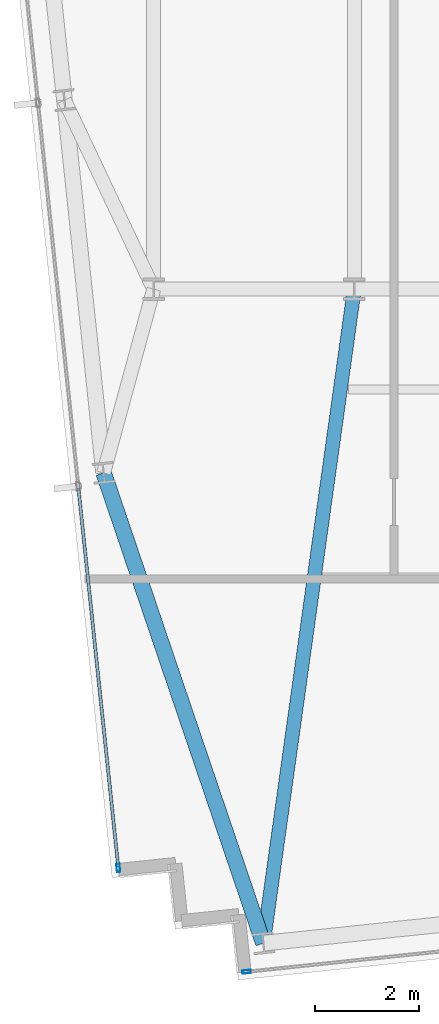
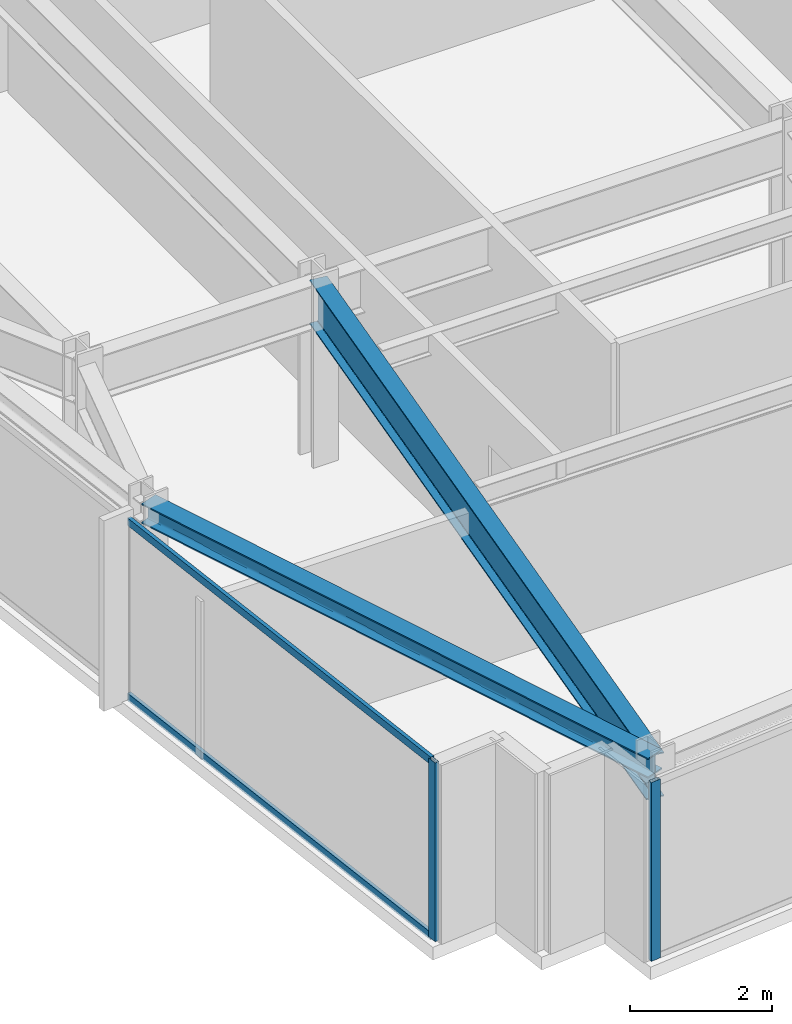
# One storey, part 2 of 32: 4 members, 2 beams, 2 elements without a shape of their own.
"""IFC4 building model written with IfcOpenShell, lengths in metres."""

from ifc_helpers import new_model, si_unit, direction, frame, origin, origin_2d, place, context, subcontext, project, spatial, hollow_rectangle, i_section, extrude, material, material_profile, profile_set, type_object, element, aggregate, save


model = new_model("IFC4")

# Units and contexts
model_context = context("Model", 3, precision=1e-05, world=origin(), true_north=direction((0.0, 1.0)))
body_context = subcontext(model_context, "Body", "Model", "MODEL_VIEW")
ifc_project = project(units=[si_unit("LENGTHUNIT", "METRE"), si_unit("AREAUNIT", "SQUARE_METRE"), si_unit("VOLUMEUNIT", "CUBIC_METRE"), si_unit("PLANEANGLEUNIT", "RADIAN"), si_unit("MASSUNIT", "GRAM", prefix="KILO")], contexts=[model_context])

# Site, building, storey
site_placement = place(None, origin())
site = spatial("IfcSite", under=ifc_project, at=site_placement, CompositionType="ELEMENT")
building_placement = place(site_placement, origin())
building = spatial("IfcBuilding", under=site, at=building_placement, Name="Yelkora Congress Tower", CompositionType="ELEMENT")
storey_placement = place(building_placement, frame((0.0, 0.0, 217.699951171875)))
storey = spatial("IfcBuildingStorey", under=building, at=storey_placement, Name="L60", CompositionType="ELEMENT", Elevation=217.699951171875)

# Beams
ifc_material_1 = material(Name="Steel S355J2", Category="steel")
ifc_material_profile_1 = material_profile(ifc_material_1, i_section(OverallWidth=0.26708984375, OverallDepth=0.761962890625, WebThickness=0.014404296875, FlangeThickness=0.021484375, FilletRadius=0.01708984375, at=origin_2d()), Name="IPE 750x173")
ifc_profile_set_1 = profile_set([ifc_material_profile_1], Name="Steel S355J2")
beam_type_1 = type_object("IfcBeamType", Name="BM-GIRD-IPE750", PredefinedType="BEAM", material=ifc_profile_set_1)
beam_1_placement = place(storey_placement, frame((21.299072265625, 12.678466796875, 2.698974609375), z_axis=(0.137713626184, 0.990472088028, 0.0), x_axis=(-0.990472088028, 0.137713626184, 0.0)))
element("IfcBeam", 1, at=beam_1_placement, inside=storey, type_object=beam_type_1, Name="L60 Primary Frame Girder S01", PredefinedType="BEAM", context=body_context, shape_type="SweptSolid", body=[
    extrude(i_section(OverallWidth=0.26708984375, OverallDepth=0.761962890625, WebThickness=0.014404296875, FlangeThickness=0.021484375, FilletRadius=0.01708984375, at=origin_2d()), origin(), (0.0, 0.0, 1.0), 12.641845703125),
])
ifc_material_profile_2 = material_profile(ifc_material_1, i_section(OverallWidth=0.300048828125, OverallDepth=0.340087890625, WebThickness=0.011962890625, FlangeThickness=0.021484375, FilletRadius=0.027099609375, at=origin_2d()), Name="HEB 340")
ifc_profile_set_2 = profile_set([ifc_material_profile_2], Name="Steel S355J2")
beam_type_2 = type_object("IfcBeamType", Name="BM-SPAN-HEB340", PredefinedType="SPANDREL", material=ifc_profile_set_2)
beam_2_placement = place(storey_placement, frame((18.2412109375, 21.68310546875, 2.91015625), z_axis=(0.321552459514, -0.94689176561, 0.0), x_axis=(0.94689176561, 0.321552459514, 0.0)))
element("IfcBeam", 2, at=beam_2_placement, inside=storey, type_object=beam_type_2, Name="L60 Perimeter Beam 2", PredefinedType="SPANDREL", context=body_context, shape_type="SweptSolid", body=[
    extrude(i_section(OverallWidth=0.300048828125, OverallDepth=0.340087890625, WebThickness=0.011962890625, FlangeThickness=0.021484375, FilletRadius=0.027099609375, at=origin_2d()), origin(), (0.0, 0.0, 1.0), 9.509765625),
])

# Curtain wall, member
ifc_material_2 = material(Name="Anodised aluminium and insulated glass", Category="aluminium")
curtain_wall_type = type_object("IfcCurtainWallType", Name="CW-SYS-B4", PredefinedType="NOTDEFINED", material=ifc_material_2)
curtain_wall_1_placement = place(storey_placement, origin())
curtain_wall_1 = element("IfcCurtainWall", 3, at=curtain_wall_1_placement, inside=storey, type_object=curtain_wall_type, Name="L60 Unitised Curtain Wall 5", PredefinedType="NOTDEFINED")
ifc_material_3 = material(Name="Anodised aluminium 6063-T6", Category="aluminium")
ifc_material_profile_3 = material_profile(ifc_material_3, hollow_rectangle(XDim=0.06494140625, YDim=0.159912109375, WallThickness=0.00390625, at=origin_2d()), Name="ALU 65x160x4")
ifc_profile_set_3 = profile_set([ifc_material_profile_3], Name="Anodised aluminium 6063-T6")
member_type_1 = type_object("IfcMemberType", Name="MEM-ML-B4", PredefinedType="MULLION", material=ifc_profile_set_3)
member_1_placement = place(storey_placement, frame((18.523193359375, 14.118896484375, 0.0), z_axis=(0.0, 0.0, 1.0), x_axis=(-0.994522145958, -0.104526079034, 0.0)))
member_1 = element("IfcMember", 4, at=member_1_placement, type_object=member_type_1, Name="CW-B4 mullion 1", PredefinedType="MULLION", context=body_context, shape_type="SweptSolid", body=[
    extrude(hollow_rectangle(XDim=0.06494140625, YDim=0.159912109375, WallThickness=0.00390625, at=origin_2d()), origin(), (0.0, 0.0, 1.0), 3.080078125),
])

curtain_wall_2_placement = place(storey_placement, origin())
curtain_wall_2 = element("IfcCurtainWall", 5, at=curtain_wall_2_placement, inside=storey, type_object=curtain_wall_type, Name="L60 Unitised Curtain Wall 20", PredefinedType="NOTDEFINED")
member_2_placement = place(storey_placement, frame((20.976806640625, 12.1318359375, 0.0), z_axis=(0.0, 0.0, 1.0), x_axis=(0.104526664994, -0.994522084373, 0.0)))
member_2 = element("IfcMember", 6, at=member_2_placement, type_object=member_type_1, Name="CW-B4 mullion 8", PredefinedType="MULLION", context=body_context, shape_type="SweptSolid", body=[
    extrude(hollow_rectangle(XDim=0.06494140625, YDim=0.159912109375, WallThickness=0.00390625, at=origin_2d()), origin(), (0.0, 0.0, 1.0), 3.080078125),
])
aggregate(curtain_wall_2, [member_2])

# Member
ifc_material_profile_4 = material_profile(ifc_material_3, hollow_rectangle(XDim=0.06005859375, YDim=0.1298828125, WallThickness=0.00390625, at=origin_2d()), Name="ALU 60x130x4")
ifc_profile_set_4 = profile_set([ifc_material_profile_4], Name="Anodised aluminium 6063-T6")
member_type_2 = type_object("IfcMemberType", Name="MEM-TR-B4", PredefinedType="USERDEFINED", material=ifc_profile_set_4)
member_3_placement = place(storey_placement, frame((18.52001953125, 14.151123046875, 0.030029296875), z_axis=(-0.104527725728, 0.994521972886, 0.0), x_axis=(-0.994521972886, -0.104527725728, 0.0)))
member_3 = element("IfcMember", 7, at=member_3_placement, type_object=member_type_2, Name="CW-B4 transom 1.1", ObjectType="TRANSOM", PredefinedType="USERDEFINED", context=body_context, shape_type="SweptSolid", body=[
    extrude(hollow_rectangle(XDim=0.06005859375, YDim=0.1298828125, WallThickness=0.00390625, at=origin_2d()), origin(), (0.0, 0.0, 1.0), 7.282470703125),
])

member_4_placement = place(storey_placement, frame((18.52001953125, 14.151123046875, 3.050048828125), z_axis=(-0.104527725728, 0.994521972886, 0.0), x_axis=(-0.994521972886, -0.104527725728, 0.0)))
member_4 = element("IfcMember", 8, at=member_4_placement, type_object=member_type_2, Name="CW-B4 transom 1.2", ObjectType="TRANSOM", PredefinedType="USERDEFINED", context=body_context, shape_type="SweptSolid", body=[
    extrude(hollow_rectangle(XDim=0.06005859375, YDim=0.1298828125, WallThickness=0.00390625, at=origin_2d()), origin(), (0.0, 0.0, 1.0), 7.282470703125),
])

aggregate(curtain_wall_1, [member_1, member_3, member_4])

save(model, "model.ifc")
